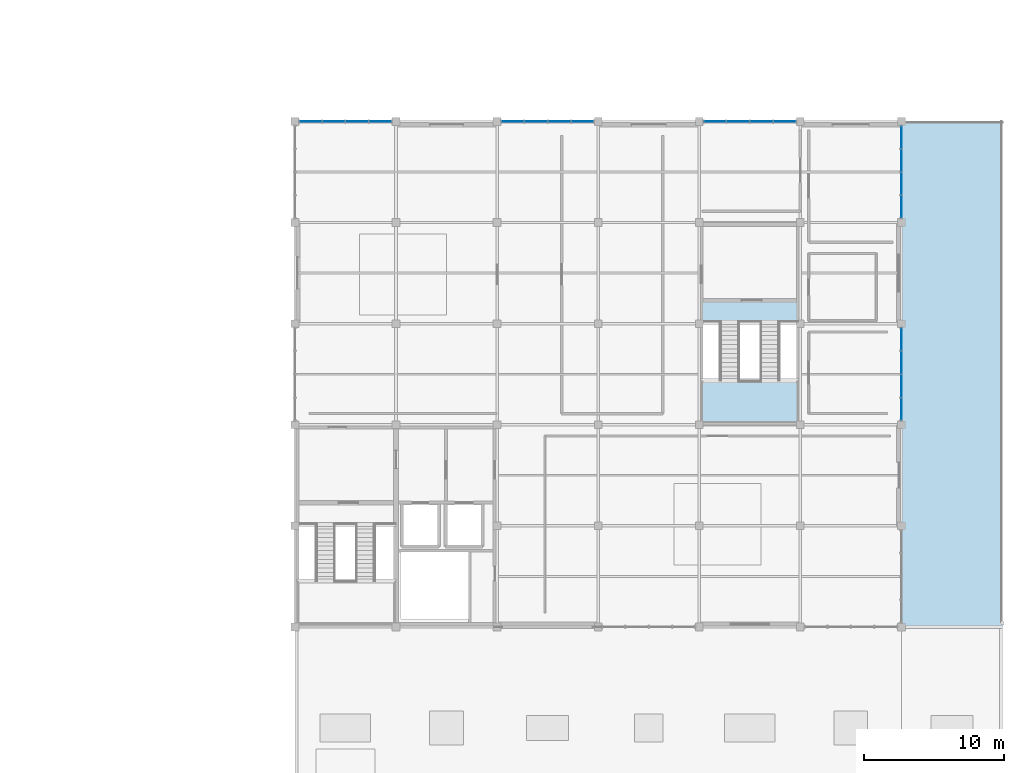
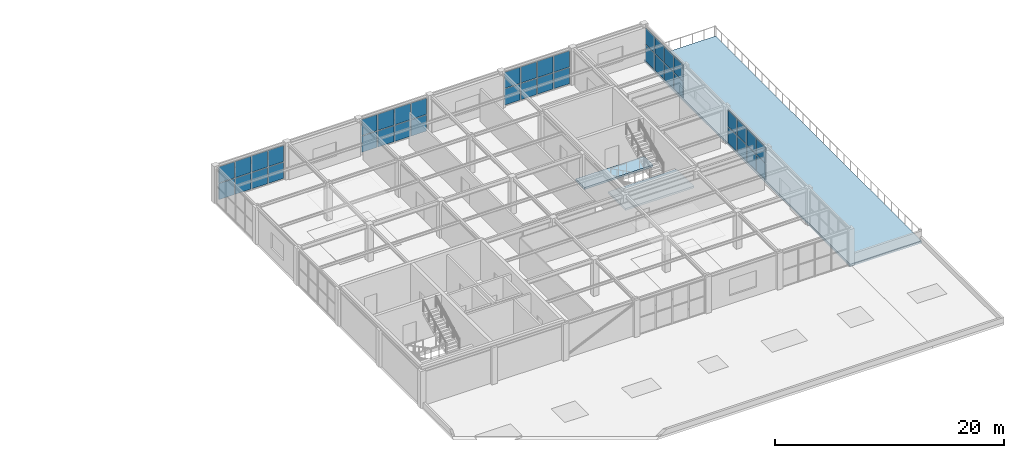
# One storey, part 45 of 64: 40 plates, 3 slabs, 6 elements without a shape of their own.
"""IFC4 building model written with IfcOpenShell, lengths in metres."""

from ifc_helpers import new_model, si_unit, direction, frame, origin, origin_2d, place, context, subcontext, project, spatial, polyline, rectangle, outline, extrude, material, layer, layer_set, type_object, element, aggregate, save


model = new_model("IFC4")

# Units and contexts
model_context = context("Model", 3, precision=1e-05, world=origin(), true_north=direction((0.0, 1.0)))
body_context = subcontext(model_context, "Body", "Model", "MODEL_VIEW")
ifc_project = project(units=[si_unit("LENGTHUNIT", "METRE"), si_unit("AREAUNIT", "SQUARE_METRE"), si_unit("VOLUMEUNIT", "CUBIC_METRE"), si_unit("PLANEANGLEUNIT", "RADIAN"), si_unit("MASSUNIT", "GRAM", prefix="KILO")], contexts=[model_context])

# Site, building, storey
site_placement = place(None, origin())
site = spatial("IfcSite", under=ifc_project, at=site_placement, CompositionType="ELEMENT")
building_placement = place(site_placement, origin())
building = spatial("IfcBuilding", under=site, at=building_placement, Name="Leyfeld Transit Interchange", CompositionType="ELEMENT")
storey_placement = place(building_placement, frame((0.0, 0.0, 9.60009765625)))
storey = spatial("IfcBuildingStorey", under=building, at=storey_placement, Name="L02", CompositionType="ELEMENT", Elevation=9.60009765625)

# Curtain wall, plates
ifc_material_1 = material(Name="Anodised aluminium EN AW-6060 T66", Category="aluminium")
curtain_wall_type = type_object("IfcCurtainWallType", Name="CW-SYS-BUS-7200", PredefinedType="NOTDEFINED", material=ifc_material_1)
curtain_wall_1_placement = place(storey_placement, origin())
curtain_wall_1 = element("IfcCurtainWall", 1, at=curtain_wall_1_placement, inside=storey, type_object=curtain_wall_type, Name="Curtain Wall CW-L02-112", PredefinedType="NOTDEFINED")
ifc_material_2 = material(Name="Laminated safety acoustic glazing", Category="glass")
ifc_layer_1 = layer(ifc_material_2, 0.048095703125, Name="Laminated safety acoustic glazing")
ifc_layer_set_1 = layer_set([ifc_layer_1], Name="Laminated safety acoustic glazing")
plate_type = type_object("IfcPlateType", Name="CW-PNL-ACU-48", PredefinedType="CURTAIN_PANEL", material=ifc_layer_set_1)
plate_1_placement = place(storey_placement, frame((137.91748046875, 93.60009765625, 0.0732421875), z_axis=(0.0, 0.0, 1.0), x_axis=(1.0, 0.0, 0.0)))
plate_1 = element("IfcPlate", 2, at=plate_1_placement, type_object=plate_type, Name="Glazed Curtain Panel CW-L02-112-P01_1", PredefinedType="CURTAIN_PANEL", context=body_context, shape_type="SweptSolid", body=[
    extrude(rectangle(XDim=1.55810546875, YDim=0.048095703125, at=origin_2d()), origin(), (0.0, 0.0, 1.0), 1.715576171875),
])
plate_2_placement = place(storey_placement, frame((137.91748046875, 93.60009765625, 1.86083984375), z_axis=(0.0, 0.0, 1.0), x_axis=(1.0, 0.0, 0.0)))
plate_2 = element("IfcPlate", 3, at=plate_2_placement, type_object=plate_type, Name="Glazed Curtain Panel CW-L02-112-P01_2", PredefinedType="CURTAIN_PANEL", context=body_context, shape_type="SweptSolid", body=[
    extrude(rectangle(XDim=1.55810546875, YDim=0.048095703125, at=origin_2d()), origin(), (0.0, 0.0, 1.0), 1.715576171875),
])
plate_3_placement = place(storey_placement, frame((139.566162109375, 93.60009765625, 0.0732421875), z_axis=(0.0, 0.0, 1.0), x_axis=(1.0, 0.0, 0.0)))
plate_3 = element("IfcPlate", 4, at=plate_3_placement, type_object=plate_type, Name="Glazed Curtain Panel CW-L02-112-P02_1", PredefinedType="CURTAIN_PANEL", context=body_context, shape_type="SweptSolid", body=[
    extrude(rectangle(XDim=1.595458984375, YDim=0.048095703125, at=origin_2d()), origin(), (0.0, 0.0, 1.0), 1.715576171875),
])
plate_4_placement = place(storey_placement, frame((139.566162109375, 93.60009765625, 1.86083984375), z_axis=(0.0, 0.0, 1.0), x_axis=(1.0, 0.0, 0.0)))
plate_4 = element("IfcPlate", 5, at=plate_4_placement, type_object=plate_type, Name="Glazed Curtain Panel CW-L02-112-P02_2", PredefinedType="CURTAIN_PANEL", context=body_context, shape_type="SweptSolid", body=[
    extrude(rectangle(XDim=1.595458984375, YDim=0.048095703125, at=origin_2d()), origin(), (0.0, 0.0, 1.0), 1.715576171875),
])
plate_5_placement = place(storey_placement, frame((141.233642578125, 93.60009765625, 0.0732421875), z_axis=(0.0, 0.0, 1.0), x_axis=(1.0, 0.0, 0.0)))
plate_5 = element("IfcPlate", 6, at=plate_5_placement, type_object=plate_type, Name="Glazed Curtain Panel CW-L02-112-P03_1", PredefinedType="CURTAIN_PANEL", context=body_context, shape_type="SweptSolid", body=[
    extrude(rectangle(XDim=1.595458984375, YDim=0.048095703125, at=origin_2d()), origin(), (0.0, 0.0, 1.0), 1.715576171875),
])
plate_6_placement = place(storey_placement, frame((141.233642578125, 93.60009765625, 1.86083984375), z_axis=(0.0, 0.0, 1.0), x_axis=(1.0, 0.0, 0.0)))
plate_6 = element("IfcPlate", 7, at=plate_6_placement, type_object=plate_type, Name="Glazed Curtain Panel CW-L02-112-P03_2", PredefinedType="CURTAIN_PANEL", context=body_context, shape_type="SweptSolid", body=[
    extrude(rectangle(XDim=1.595458984375, YDim=0.048095703125, at=origin_2d()), origin(), (0.0, 0.0, 1.0), 1.715576171875),
])
plate_7_placement = place(storey_placement, frame((142.882568359375, 93.60009765625, 0.0732421875), z_axis=(0.0, 0.0, 1.0), x_axis=(1.0, 0.0, 0.0)))
plate_7 = element("IfcPlate", 8, at=plate_7_placement, type_object=plate_type, Name="Glazed Curtain Panel CW-L02-112-P04_1", PredefinedType="CURTAIN_PANEL", context=body_context, shape_type="SweptSolid", body=[
    extrude(rectangle(XDim=1.55810546875, YDim=0.048095703125, at=origin_2d()), origin(), (0.0, 0.0, 1.0), 1.715576171875),
])
plate_8_placement = place(storey_placement, frame((142.882568359375, 93.60009765625, 1.86083984375), z_axis=(0.0, 0.0, 1.0), x_axis=(1.0, 0.0, 0.0)))
plate_8 = element("IfcPlate", 9, at=plate_8_placement, type_object=plate_type, Name="Glazed Curtain Panel CW-L02-112-P04_2", PredefinedType="CURTAIN_PANEL", context=body_context, shape_type="SweptSolid", body=[
    extrude(rectangle(XDim=1.55810546875, YDim=0.048095703125, at=origin_2d()), origin(), (0.0, 0.0, 1.0), 1.715576171875),
])
aggregate(curtain_wall_1, [plate_1, plate_2, plate_3, plate_4, plate_5, plate_6, plate_7, plate_8])

curtain_wall_2_placement = place(storey_placement, origin())
curtain_wall_2 = element("IfcCurtainWall", 10, at=curtain_wall_2_placement, inside=storey, type_object=curtain_wall_type, Name="Curtain Wall CW-L02-113", PredefinedType="NOTDEFINED")
plate_9_placement = place(storey_placement, frame((152.3173828125, 93.60009765625, 0.0732421875), z_axis=(0.0, 0.0, 1.0), x_axis=(1.0, 0.0, 0.0)))
plate_9 = element("IfcPlate", 11, at=plate_9_placement, type_object=plate_type, Name="Glazed Curtain Panel CW-L02-113-P01_1", PredefinedType="CURTAIN_PANEL", context=body_context, shape_type="SweptSolid", body=[
    extrude(rectangle(XDim=1.55810546875, YDim=0.048095703125, at=origin_2d()), origin(), (0.0, 0.0, 1.0), 1.715576171875),
])
plate_10_placement = place(storey_placement, frame((152.3173828125, 93.60009765625, 1.86083984375), z_axis=(0.0, 0.0, 1.0), x_axis=(1.0, 0.0, 0.0)))
plate_10 = element("IfcPlate", 12, at=plate_10_placement, type_object=plate_type, Name="Glazed Curtain Panel CW-L02-113-P01_2", PredefinedType="CURTAIN_PANEL", context=body_context, shape_type="SweptSolid", body=[
    extrude(rectangle(XDim=1.55810546875, YDim=0.048095703125, at=origin_2d()), origin(), (0.0, 0.0, 1.0), 1.715576171875),
])
plate_11_placement = place(storey_placement, frame((153.96630859375, 93.60009765625, 0.0732421875), z_axis=(0.0, 0.0, 1.0), x_axis=(1.0, 0.0, 0.0)))
plate_11 = element("IfcPlate", 13, at=plate_11_placement, type_object=plate_type, Name="Glazed Curtain Panel CW-L02-113-P02_1", PredefinedType="CURTAIN_PANEL", context=body_context, shape_type="SweptSolid", body=[
    extrude(rectangle(XDim=1.595458984375, YDim=0.048095703125, at=origin_2d()), origin(), (0.0, 0.0, 1.0), 1.715576171875),
])
plate_12_placement = place(storey_placement, frame((153.96630859375, 93.60009765625, 1.86083984375), z_axis=(0.0, 0.0, 1.0), x_axis=(1.0, 0.0, 0.0)))
plate_12 = element("IfcPlate", 14, at=plate_12_placement, type_object=plate_type, Name="Glazed Curtain Panel CW-L02-113-P02_2", PredefinedType="CURTAIN_PANEL", context=body_context, shape_type="SweptSolid", body=[
    extrude(rectangle(XDim=1.595458984375, YDim=0.048095703125, at=origin_2d()), origin(), (0.0, 0.0, 1.0), 1.715576171875),
])
plate_13_placement = place(storey_placement, frame((155.6337890625, 93.60009765625, 0.0732421875), z_axis=(0.0, 0.0, 1.0), x_axis=(1.0, 0.0, 0.0)))
plate_13 = element("IfcPlate", 15, at=plate_13_placement, type_object=plate_type, Name="Glazed Curtain Panel CW-L02-113-P03_1", PredefinedType="CURTAIN_PANEL", context=body_context, shape_type="SweptSolid", body=[
    extrude(rectangle(XDim=1.595458984375, YDim=0.048095703125, at=origin_2d()), origin(), (0.0, 0.0, 1.0), 1.715576171875),
])
plate_14_placement = place(storey_placement, frame((155.6337890625, 93.60009765625, 1.86083984375), z_axis=(0.0, 0.0, 1.0), x_axis=(1.0, 0.0, 0.0)))
plate_14 = element("IfcPlate", 16, at=plate_14_placement, type_object=plate_type, Name="Glazed Curtain Panel CW-L02-113-P03_2", PredefinedType="CURTAIN_PANEL", context=body_context, shape_type="SweptSolid", body=[
    extrude(rectangle(XDim=1.595458984375, YDim=0.048095703125, at=origin_2d()), origin(), (0.0, 0.0, 1.0), 1.715576171875),
])
plate_15_placement = place(storey_placement, frame((157.282470703125, 93.60009765625, 0.0732421875), z_axis=(0.0, 0.0, 1.0), x_axis=(1.0, 0.0, 0.0)))
plate_15 = element("IfcPlate", 17, at=plate_15_placement, type_object=plate_type, Name="Glazed Curtain Panel CW-L02-113-P04_1", PredefinedType="CURTAIN_PANEL", context=body_context, shape_type="SweptSolid", body=[
    extrude(rectangle(XDim=1.55810546875, YDim=0.048095703125, at=origin_2d()), origin(), (0.0, 0.0, 1.0), 1.715576171875),
])
plate_16_placement = place(storey_placement, frame((157.282470703125, 93.60009765625, 1.86083984375), z_axis=(0.0, 0.0, 1.0), x_axis=(1.0, 0.0, 0.0)))
plate_16 = element("IfcPlate", 18, at=plate_16_placement, type_object=plate_type, Name="Glazed Curtain Panel CW-L02-113-P04_2", PredefinedType="CURTAIN_PANEL", context=body_context, shape_type="SweptSolid", body=[
    extrude(rectangle(XDim=1.55810546875, YDim=0.048095703125, at=origin_2d()), origin(), (0.0, 0.0, 1.0), 1.715576171875),
])
aggregate(curtain_wall_2, [plate_9, plate_10, plate_11, plate_12, plate_13, plate_14, plate_15, plate_16])

curtain_wall_3_placement = place(storey_placement, origin())
curtain_wall_3 = element("IfcCurtainWall", 19, at=curtain_wall_3_placement, inside=storey, type_object=curtain_wall_type, Name="Curtain Wall CW-L02-114", PredefinedType="NOTDEFINED")
plate_17_placement = place(storey_placement, frame((166.717529296875, 93.60009765625, 0.0732421875), z_axis=(0.0, 0.0, 1.0), x_axis=(1.0, 0.0, 0.0)))
plate_17 = element("IfcPlate", 20, at=plate_17_placement, type_object=plate_type, Name="Glazed Curtain Panel CW-L02-114-P01_1", PredefinedType="CURTAIN_PANEL", context=body_context, shape_type="SweptSolid", body=[
    extrude(rectangle(XDim=1.55810546875, YDim=0.048095703125, at=origin_2d()), origin(), (0.0, 0.0, 1.0), 1.715576171875),
])
plate_18_placement = place(storey_placement, frame((166.717529296875, 93.60009765625, 1.86083984375), z_axis=(0.0, 0.0, 1.0), x_axis=(1.0, 0.0, 0.0)))
plate_18 = element("IfcPlate", 21, at=plate_18_placement, type_object=plate_type, Name="Glazed Curtain Panel CW-L02-114-P01_2", PredefinedType="CURTAIN_PANEL", context=body_context, shape_type="SweptSolid", body=[
    extrude(rectangle(XDim=1.55810546875, YDim=0.048095703125, at=origin_2d()), origin(), (0.0, 0.0, 1.0), 1.715576171875),
])
plate_19_placement = place(storey_placement, frame((168.3662109375, 93.60009765625, 0.0732421875), z_axis=(0.0, 0.0, 1.0), x_axis=(1.0, 0.0, 0.0)))
plate_19 = element("IfcPlate", 22, at=plate_19_placement, type_object=plate_type, Name="Glazed Curtain Panel CW-L02-114-P02_1", PredefinedType="CURTAIN_PANEL", context=body_context, shape_type="SweptSolid", body=[
    extrude(rectangle(XDim=1.595458984375, YDim=0.048095703125, at=origin_2d()), origin(), (0.0, 0.0, 1.0), 1.715576171875),
])
plate_20_placement = place(storey_placement, frame((168.3662109375, 93.60009765625, 1.86083984375), z_axis=(0.0, 0.0, 1.0), x_axis=(1.0, 0.0, 0.0)))
plate_20 = element("IfcPlate", 23, at=plate_20_placement, type_object=plate_type, Name="Glazed Curtain Panel CW-L02-114-P02_2", PredefinedType="CURTAIN_PANEL", context=body_context, shape_type="SweptSolid", body=[
    extrude(rectangle(XDim=1.595458984375, YDim=0.048095703125, at=origin_2d()), origin(), (0.0, 0.0, 1.0), 1.715576171875),
])
plate_21_placement = place(storey_placement, frame((170.03369140625, 93.60009765625, 0.0732421875), z_axis=(0.0, 0.0, 1.0), x_axis=(1.0, 0.0, 0.0)))
plate_21 = element("IfcPlate", 24, at=plate_21_placement, type_object=plate_type, Name="Glazed Curtain Panel CW-L02-114-P03_1", PredefinedType="CURTAIN_PANEL", context=body_context, shape_type="SweptSolid", body=[
    extrude(rectangle(XDim=1.595458984375, YDim=0.048095703125, at=origin_2d()), origin(), (0.0, 0.0, 1.0), 1.715576171875),
])
plate_22_placement = place(storey_placement, frame((170.03369140625, 93.60009765625, 1.86083984375), z_axis=(0.0, 0.0, 1.0), x_axis=(1.0, 0.0, 0.0)))
plate_22 = element("IfcPlate", 25, at=plate_22_placement, type_object=plate_type, Name="Glazed Curtain Panel CW-L02-114-P03_2", PredefinedType="CURTAIN_PANEL", context=body_context, shape_type="SweptSolid", body=[
    extrude(rectangle(XDim=1.595458984375, YDim=0.048095703125, at=origin_2d()), origin(), (0.0, 0.0, 1.0), 1.715576171875),
])
plate_23_placement = place(storey_placement, frame((171.6826171875, 93.60009765625, 0.0732421875), z_axis=(0.0, 0.0, 1.0), x_axis=(1.0, 0.0, 0.0)))
plate_23 = element("IfcPlate", 26, at=plate_23_placement, type_object=plate_type, Name="Glazed Curtain Panel CW-L02-114-P04_1", PredefinedType="CURTAIN_PANEL", context=body_context, shape_type="SweptSolid", body=[
    extrude(rectangle(XDim=1.55810546875, YDim=0.048095703125, at=origin_2d()), origin(), (0.0, 0.0, 1.0), 1.715576171875),
])
plate_24_placement = place(storey_placement, frame((171.6826171875, 93.60009765625, 1.86083984375), z_axis=(0.0, 0.0, 1.0), x_axis=(1.0, 0.0, 0.0)))
plate_24 = element("IfcPlate", 27, at=plate_24_placement, type_object=plate_type, Name="Glazed Curtain Panel CW-L02-114-P04_2", PredefinedType="CURTAIN_PANEL", context=body_context, shape_type="SweptSolid", body=[
    extrude(rectangle(XDim=1.55810546875, YDim=0.048095703125, at=origin_2d()), origin(), (0.0, 0.0, 1.0), 1.715576171875),
])
aggregate(curtain_wall_3, [plate_17, plate_18, plate_19, plate_20, plate_21, plate_22, plate_23, plate_24])

curtain_wall_4_placement = place(storey_placement, origin())
curtain_wall_4 = element("IfcCurtainWall", 28, at=curtain_wall_4_placement, inside=storey, type_object=curtain_wall_type, Name="Curtain Wall CW-L02-115", PredefinedType="NOTDEFINED")
plate_25_placement = place(storey_placement, frame((180.0, 92.482421875, 0.0732421875), z_axis=(0.0, 0.0, 1.0), x_axis=(0.0, -1.0, 0.0)))
plate_25 = element("IfcPlate", 29, at=plate_25_placement, type_object=plate_type, Name="Glazed Curtain Panel CW-L02-115-P01_1", PredefinedType="CURTAIN_PANEL", context=body_context, shape_type="SweptSolid", body=[
    extrude(rectangle(XDim=1.55810546875, YDim=0.048095703125, at=origin_2d()), origin(), (0.0, 0.0, 1.0), 1.715576171875),
])
plate_26_placement = place(storey_placement, frame((180.0, 92.482421875, 1.86083984375), z_axis=(0.0, 0.0, 1.0), x_axis=(0.0, -1.0, 0.0)))
plate_26 = element("IfcPlate", 30, at=plate_26_placement, type_object=plate_type, Name="Glazed Curtain Panel CW-L02-115-P01_2", PredefinedType="CURTAIN_PANEL", context=body_context, shape_type="SweptSolid", body=[
    extrude(rectangle(XDim=1.55810546875, YDim=0.048095703125, at=origin_2d()), origin(), (0.0, 0.0, 1.0), 1.715576171875),
])
plate_27_placement = place(storey_placement, frame((180.0, 90.833740234375, 0.0732421875), z_axis=(0.0, 0.0, 1.0), x_axis=(0.0, -1.0, 0.0)))
plate_27 = element("IfcPlate", 31, at=plate_27_placement, type_object=plate_type, Name="Glazed Curtain Panel CW-L02-115-P02_1", PredefinedType="CURTAIN_PANEL", context=body_context, shape_type="SweptSolid", body=[
    extrude(rectangle(XDim=1.595458984375, YDim=0.048095703125, at=origin_2d()), origin(), (0.0, 0.0, 1.0), 1.715576171875),
])
plate_28_placement = place(storey_placement, frame((180.0, 90.833740234375, 1.86083984375), z_axis=(0.0, 0.0, 1.0), x_axis=(0.0, -1.0, 0.0)))
plate_28 = element("IfcPlate", 32, at=plate_28_placement, type_object=plate_type, Name="Glazed Curtain Panel CW-L02-115-P02_2", PredefinedType="CURTAIN_PANEL", context=body_context, shape_type="SweptSolid", body=[
    extrude(rectangle(XDim=1.595458984375, YDim=0.048095703125, at=origin_2d()), origin(), (0.0, 0.0, 1.0), 1.715576171875),
])
plate_29_placement = place(storey_placement, frame((180.0, 89.166259765625, 0.0732421875), z_axis=(0.0, 0.0, 1.0), x_axis=(0.0, -1.0, 0.0)))
plate_29 = element("IfcPlate", 33, at=plate_29_placement, type_object=plate_type, Name="Glazed Curtain Panel CW-L02-115-P03_1", PredefinedType="CURTAIN_PANEL", context=body_context, shape_type="SweptSolid", body=[
    extrude(rectangle(XDim=1.595458984375, YDim=0.048095703125, at=origin_2d()), origin(), (0.0, 0.0, 1.0), 1.715576171875),
])
plate_30_placement = place(storey_placement, frame((180.0, 89.166259765625, 1.86083984375), z_axis=(0.0, 0.0, 1.0), x_axis=(0.0, -1.0, 0.0)))
plate_30 = element("IfcPlate", 34, at=plate_30_placement, type_object=plate_type, Name="Glazed Curtain Panel CW-L02-115-P03_2", PredefinedType="CURTAIN_PANEL", context=body_context, shape_type="SweptSolid", body=[
    extrude(rectangle(XDim=1.595458984375, YDim=0.048095703125, at=origin_2d()), origin(), (0.0, 0.0, 1.0), 1.715576171875),
])
plate_31_placement = place(storey_placement, frame((180.0, 87.517578125, 0.0732421875), z_axis=(0.0, 0.0, 1.0), x_axis=(0.0, -1.0, 0.0)))
plate_31 = element("IfcPlate", 35, at=plate_31_placement, type_object=plate_type, Name="Glazed Curtain Panel CW-L02-115-P04_1", PredefinedType="CURTAIN_PANEL", context=body_context, shape_type="SweptSolid", body=[
    extrude(rectangle(XDim=1.55810546875, YDim=0.048095703125, at=origin_2d()), origin(), (0.0, 0.0, 1.0), 1.715576171875),
])
plate_32_placement = place(storey_placement, frame((180.0, 87.517578125, 1.86083984375), z_axis=(0.0, 0.0, 1.0), x_axis=(0.0, -1.0, 0.0)))
plate_32 = element("IfcPlate", 36, at=plate_32_placement, type_object=plate_type, Name="Glazed Curtain Panel CW-L02-115-P04_2", PredefinedType="CURTAIN_PANEL", context=body_context, shape_type="SweptSolid", body=[
    extrude(rectangle(XDim=1.55810546875, YDim=0.048095703125, at=origin_2d()), origin(), (0.0, 0.0, 1.0), 1.715576171875),
])
aggregate(curtain_wall_4, [plate_25, plate_26, plate_27, plate_28, plate_29, plate_30, plate_31, plate_32])

curtain_wall_5_placement = place(storey_placement, origin())
curtain_wall_5 = element("IfcCurtainWall", 37, at=curtain_wall_5_placement, inside=storey, type_object=curtain_wall_type, Name="Curtain Wall CW-L02-116", PredefinedType="NOTDEFINED")
plate_33_placement = place(storey_placement, frame((180.0, 78.08251953125, 0.0732421875), z_axis=(0.0, 0.0, 1.0), x_axis=(0.0, -1.0, 0.0)))
plate_33 = element("IfcPlate", 38, at=plate_33_placement, type_object=plate_type, Name="Glazed Curtain Panel CW-L02-116-P01_1", PredefinedType="CURTAIN_PANEL", context=body_context, shape_type="SweptSolid", body=[
    extrude(rectangle(XDim=1.55810546875, YDim=0.048095703125, at=origin_2d()), origin(), (0.0, 0.0, 1.0), 1.700439453125),
])
plate_34_placement = place(storey_placement, frame((180.0, 78.08251953125, 1.84619140625), z_axis=(0.0, 0.0, 1.0), x_axis=(0.0, -1.0, 0.0)))
plate_34 = element("IfcPlate", 39, at=plate_34_placement, type_object=plate_type, Name="Glazed Curtain Panel CW-L02-116-P01_2", PredefinedType="CURTAIN_PANEL", context=body_context, shape_type="SweptSolid", body=[
    extrude(rectangle(XDim=1.55810546875, YDim=0.048095703125, at=origin_2d()), origin(), (0.0, 0.0, 1.0), 1.700439453125),
])
plate_35_placement = place(storey_placement, frame((180.0, 76.433837890625, 0.0732421875), z_axis=(0.0, 0.0, 1.0), x_axis=(0.0, -1.0, 0.0)))
plate_35 = element("IfcPlate", 40, at=plate_35_placement, type_object=plate_type, Name="Glazed Curtain Panel CW-L02-116-P02_1", PredefinedType="CURTAIN_PANEL", context=body_context, shape_type="SweptSolid", body=[
    extrude(rectangle(XDim=1.595458984375, YDim=0.048095703125, at=origin_2d()), origin(), (0.0, 0.0, 1.0), 1.700439453125),
])
plate_36_placement = place(storey_placement, frame((180.0, 76.433837890625, 1.84619140625), z_axis=(0.0, 0.0, 1.0), x_axis=(0.0, -1.0, 0.0)))
plate_36 = element("IfcPlate", 41, at=plate_36_placement, type_object=plate_type, Name="Glazed Curtain Panel CW-L02-116-P02_2", PredefinedType="CURTAIN_PANEL", context=body_context, shape_type="SweptSolid", body=[
    extrude(rectangle(XDim=1.595458984375, YDim=0.048095703125, at=origin_2d()), origin(), (0.0, 0.0, 1.0), 1.700439453125),
])
plate_37_placement = place(storey_placement, frame((180.0, 74.76611328125, 0.0732421875), z_axis=(0.0, 0.0, 1.0), x_axis=(0.0, -1.0, 0.0)))
plate_37 = element("IfcPlate", 42, at=plate_37_placement, type_object=plate_type, Name="Glazed Curtain Panel CW-L02-116-P03_1", PredefinedType="CURTAIN_PANEL", context=body_context, shape_type="SweptSolid", body=[
    extrude(rectangle(XDim=1.595458984375, YDim=0.048095703125, at=origin_2d()), origin(), (0.0, 0.0, 1.0), 1.700439453125),
])
plate_38_placement = place(storey_placement, frame((180.0, 74.76611328125, 1.84619140625), z_axis=(0.0, 0.0, 1.0), x_axis=(0.0, -1.0, 0.0)))
plate_38 = element("IfcPlate", 43, at=plate_38_placement, type_object=plate_type, Name="Glazed Curtain Panel CW-L02-116-P03_2", PredefinedType="CURTAIN_PANEL", context=body_context, shape_type="SweptSolid", body=[
    extrude(rectangle(XDim=1.595458984375, YDim=0.048095703125, at=origin_2d()), origin(), (0.0, 0.0, 1.0), 1.700439453125),
])
plate_39_placement = place(storey_placement, frame((180.0, 73.117431640625, 0.0732421875), z_axis=(0.0, 0.0, 1.0), x_axis=(0.0, -1.0, 0.0)))
plate_39 = element("IfcPlate", 44, at=plate_39_placement, type_object=plate_type, Name="Glazed Curtain Panel CW-L02-116-P04_1", PredefinedType="CURTAIN_PANEL", context=body_context, shape_type="SweptSolid", body=[
    extrude(rectangle(XDim=1.55810546875, YDim=0.048095703125, at=origin_2d()), origin(), (0.0, 0.0, 1.0), 1.700439453125),
])
plate_40_placement = place(storey_placement, frame((180.0, 73.117431640625, 1.84619140625), z_axis=(0.0, 0.0, 1.0), x_axis=(0.0, -1.0, 0.0)))
plate_40 = element("IfcPlate", 45, at=plate_40_placement, type_object=plate_type, Name="Glazed Curtain Panel CW-L02-116-P04_2", PredefinedType="CURTAIN_PANEL", context=body_context, shape_type="SweptSolid", body=[
    extrude(rectangle(XDim=1.55810546875, YDim=0.048095703125, at=origin_2d()), origin(), (0.0, 0.0, 1.0), 1.700439453125),
])
aggregate(curtain_wall_5, [plate_33, plate_34, plate_35, plate_36, plate_37, plate_38, plate_39, plate_40])

# Slab
ifc_material_3 = material(Name="Precast concrete C40/50", Category="concrete")
ifc_layer_2 = layer(ifc_material_3, 0.199951171875, Name="Precast concrete C40/50")
ifc_layer_set_2 = layer_set([ifc_layer_2], Name="Precast concrete C40/50")
slab_type_1 = type_object("IfcSlabType", Name="SLB-LND-200", PredefinedType="LANDING", material=ifc_layer_set_2)
slab_1_placement = place(storey_placement, frame((0.0, 0.0, -0.2001953125)))
element("IfcSlab", 46, at=slab_1_placement, inside=storey, type_object=slab_type_1, Name="Core K5 Stair Floor Landing L02", PredefinedType="LANDING", context=body_context, shape_type="SweptSolid", body=[
    extrude(outline(polyline([(165.739990234375, 79.300048828125), (172.659912109375, 79.300048828125), (172.659912109375, 80.844970703125), (165.739990234375, 80.844970703125), (165.739990234375, 79.300048828125)])), origin(), (0.0, 0.0, 1.0), 0.2001953125),
])

# Stair, slab
stair_type = type_object("IfcStairType", Name="STR-HT-150x320", PredefinedType="HALF_TURN_STAIR", material=ifc_material_3)
stair_placement = place(storey_placement, origin())
stair = element("IfcStair", 47, at=stair_placement, inside=storey, type_object=stair_type, Name="Exit Stair ST-05 (L02 to L03)", PredefinedType="HALF_TURN_STAIR")
slab_2_placement = place(storey_placement, frame((0.0, 0.0, 1.89990234375)))
slab_2 = element("IfcSlab", 48, at=slab_2_placement, type_object=slab_type_1, Name="Stair ST-05 L02 Half Landing", PredefinedType="LANDING", context=body_context, shape_type="SweptSolid", body=[
    extrude(outline(polyline([(165.739990234375, 72.139892578125), (172.659912109375, 72.139892578125), (172.659912109375, 75.139892578125), (165.739990234375, 75.139892578125), (165.739990234375, 72.139892578125)])), origin(), (0.0, 0.0, 1.0), 0.199951171875),
])
aggregate(stair, [slab_2])

# Slab
ifc_material_4 = material(Name="Concrete C35/45", Category="concrete")
ifc_layer_3 = layer(ifc_material_4, 0.25, Name="Concrete C35/45")
ifc_layer_set_3 = layer_set([ifc_layer_3], Name="Concrete C35/45")
slab_type_2 = type_object("IfcSlabType", Name="SLB-TERR-250", PredefinedType="FLOOR", material=ifc_layer_set_3)
slab_3_placement = place(storey_placement, frame((0.0, 0.0, -0.25)))
element("IfcSlab", 49, at=slab_3_placement, inside=storey, type_object=slab_type_2, Name="Outdoor Roof Terrace V4_TERR_E L02", PredefinedType="FLOOR", context=body_context, shape_type="SweptSolid", body=[
    extrude(outline(polyline([(187.199951171875, 93.574951171875), (180.0, 93.574951171875), (180.0, 57.60009765625), (187.199951171875, 57.60009765625), (187.199951171875, 93.574951171875)])), origin(), (0.0, 0.0, 1.0), 0.25),
])

save(model, "model.ifc")
